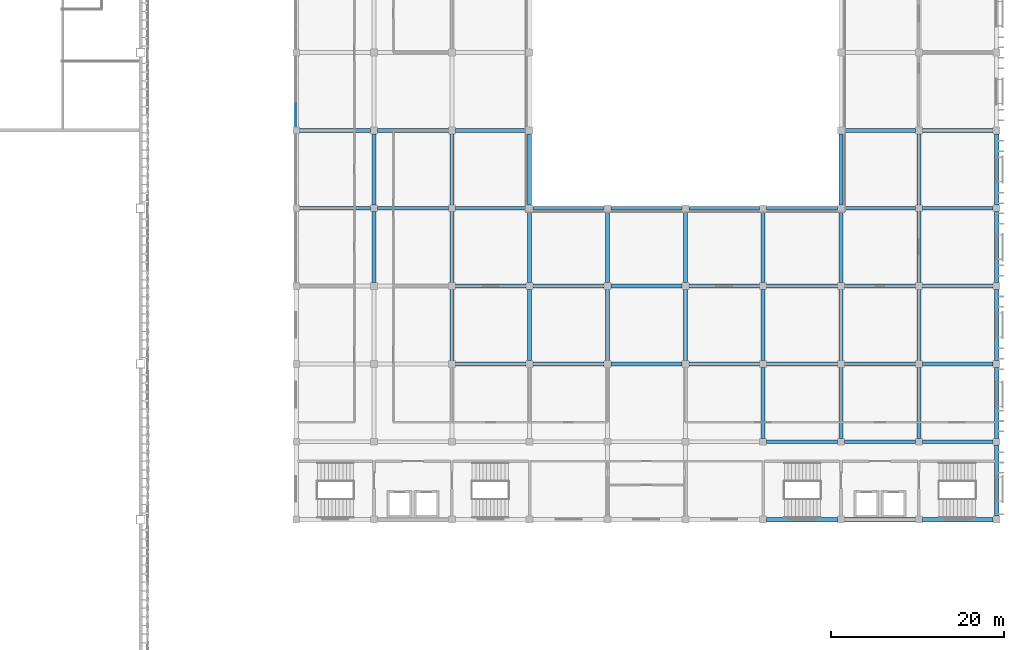
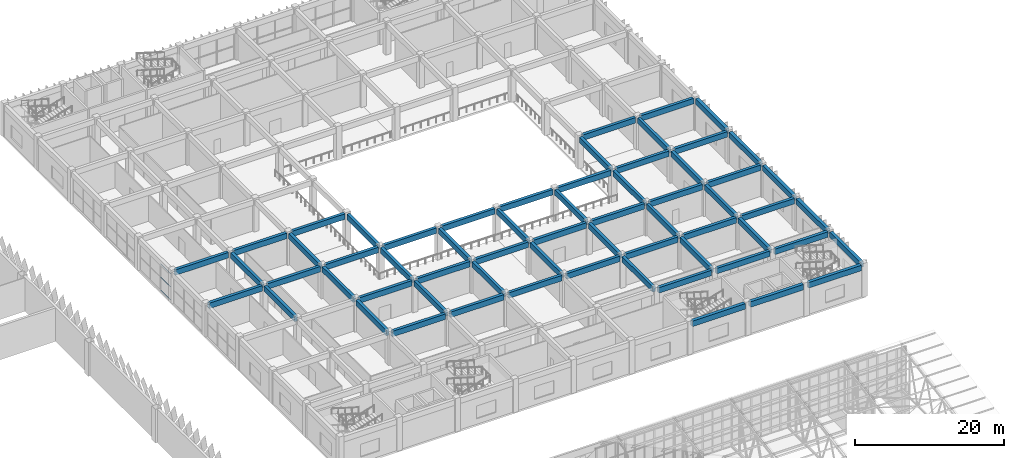
# One storey, part 73 of 185: 62 beams, 3 members, 1 element without a shape of its own.
"""IFC4 building model written with IfcOpenShell, lengths in metres."""

from ifc_helpers import new_model, si_unit, direction, frame, origin, origin_2d, place, context, subcontext, project, spatial, rectangle, hollow_rectangle, extrude, material, layer, layer_set, material_profile, profile_set, type_object, element, aggregate, save


model = new_model("IFC4")

# Units and contexts
model_context = context("Model", 3, precision=1e-05, world=origin(), true_north=direction((0.0, 1.0)))
body_context = subcontext(model_context, "Body", "Model", "MODEL_VIEW")
ifc_project = project(units=[si_unit("LENGTHUNIT", "METRE"), si_unit("AREAUNIT", "SQUARE_METRE"), si_unit("VOLUMEUNIT", "CUBIC_METRE"), si_unit("PLANEANGLEUNIT", "RADIAN"), si_unit("MASSUNIT", "GRAM", prefix="KILO")], contexts=[model_context])

# Site, building, storey
site_placement = place(None, origin())
site = spatial("IfcSite", under=ifc_project, at=site_placement, CompositionType="ELEMENT")
building_placement = place(site_placement, origin())
building = spatial("IfcBuilding", under=site, at=building_placement, Name="Opaline Strait Convention Centre", CompositionType="ELEMENT")
storey_placement = place(building_placement, frame((0.0, 0.0, 6.0)))
storey = spatial("IfcBuildingStorey", under=building, at=storey_placement, Name="L01", CompositionType="ELEMENT", Elevation=6.0)

# Curtain wall, members
ifc_material_1 = material(Name="Aluminium framed double glazing", Category="aluminium")
ifc_layer = layer(ifc_material_1, 0.199951171875)
ifc_layer_set = layer_set([ifc_layer], Name="Aluminium framed double glazing")
curtain_wall_type = type_object("IfcCurtainWallType", Name="Curtain wall 3000 module unitised", PredefinedType="NOTDEFINED", material=ifc_layer_set)
curtain_wall_placement = place(storey_placement, origin())
curtain_wall = element("IfcCurtainWall", 1, at=curtain_wall_placement, inside=storey, type_object=curtain_wall_type, Name="Curtain wall W L01 32/R", PredefinedType="NOTDEFINED")
ifc_material_2 = material(Name="Aluminium alloy 6063", Category="aluminium")
ifc_material_profile_1 = material_profile(ifc_material_2, hollow_rectangle(XDim=0.06005859375, YDim=0.1201171875, WallThickness=0.0029296875, at=origin_2d()), Name="TRANSOM 60x120x3")
ifc_profile_set_1 = profile_set([ifc_material_profile_1], Name="Aluminium alloy 6063")
member_type = type_object("IfcMemberType", Name="Curtain wall transom 60 x 120", PredefinedType="USERDEFINED", material=ifc_profile_set_1)
member_1_placement = place(storey_placement, frame((279.0, 135.4599609375, 0.030029296875), z_axis=(0.0, 1.0, 0.0), x_axis=(-1.0, 0.0, 0.0)))
member_1 = element("IfcMember", 2, at=member_1_placement, type_object=member_type, Name="MCWR1 transom 1.1", ObjectType="TRANSOM", PredefinedType="USERDEFINED", context=body_context, shape_type="SweptSolid", body=[
    extrude(hollow_rectangle(XDim=0.06005859375, YDim=0.1201171875, WallThickness=0.0029296875, at=origin_2d()), origin(), (0.0, 0.0, 1.0), 2.643310546875),
])
member_2_placement = place(storey_placement, frame((279.0, 135.4599609375, 2.159912109375), z_axis=(0.0, 1.0, 0.0), x_axis=(-1.0, 0.0, 0.0)))
member_2 = element("IfcMember", 3, at=member_2_placement, type_object=member_type, Name="MCWR1 transom 1.2", ObjectType="TRANSOM", PredefinedType="USERDEFINED", context=body_context, shape_type="SweptSolid", body=[
    extrude(hollow_rectangle(XDim=0.06005859375, YDim=0.1201171875, WallThickness=0.0029296875, at=origin_2d()), origin(), (0.0, 0.0, 1.0), 2.643310546875),
])
member_3_placement = place(storey_placement, frame((279.0, 135.4599609375, 4.2900390625), z_axis=(0.0, 1.0, 0.0), x_axis=(-1.0, 0.0, 0.0)))
member_3 = element("IfcMember", 4, at=member_3_placement, type_object=member_type, Name="MCWR1 transom 1.3", ObjectType="TRANSOM", PredefinedType="USERDEFINED", context=body_context, shape_type="SweptSolid", body=[
    extrude(hollow_rectangle(XDim=0.06005859375, YDim=0.1201171875, WallThickness=0.0029296875, at=origin_2d()), origin(), (0.0, 0.0, 1.0), 2.643310546875),
])
aggregate(curtain_wall, [member_1, member_2, member_3])

# Beams
ifc_material_3 = material(Name="Concrete C35", Category="concrete")
ifc_material_profile_2 = material_profile(ifc_material_3, rectangle(XDim=0.449951171875, YDim=0.89990234375, at=origin_2d()), Name="RC 450x900")
ifc_profile_set_2 = profile_set([ifc_material_profile_2], Name="Concrete C35")
beam_type_1 = type_object("IfcBeamType", Name="RC beam 450x900 C35", PredefinedType="BEAM", material=ifc_profile_set_2)
for number, where, z_axis, x_axis, name in (
    (5, (333.39990234375, 99.0, 4.77001953125), (1.0, 0.0, 0.0), (0.0, 1.0, 0.0), "XB1 L01 38/M-39/M"),
    (6, (342.39990234375, 99.0, 4.77001953125), (1.0, 0.0, 0.0), (0.0, 1.0, 0.0), "XB1 L01 39/M-40/M"),
    (7, (351.39990234375, 99.0, 4.77001953125), (1.0, 0.0, 0.0), (0.0, 1.0, 0.0), "XB1 L01 40/M-41/M"),
    (8, (297.39990234375, 108.0, 4.77001953125), (1.0, 0.0, 0.0), (0.0, 1.0, 0.0), "XB1 L01 34/N-35/N"),
    (9, (306.39990234375, 108.0, 4.77001953125), (1.0, 0.0, 0.0), (0.0, 1.0, 0.0), "XB1 L01 35/N-36/N"),
    (10, (315.39990234375, 108.0, 4.77001953125), (1.0, 0.0, 0.0), (0.0, 1.0, 0.0), "XB1 L01 36/N-37/N"),
    (11, (324.39990234375, 108.0, 4.77001953125), (1.0, 0.0, 0.0), (0.0, 1.0, 0.0), "XB1 L01 37/N-38/N"),
    (12, (333.39990234375, 108.0, 4.77001953125), (1.0, 0.0, 0.0), (0.0, 1.0, 0.0), "XB1 L01 38/N-39/N"),
    (13, (342.39990234375, 108.0, 4.77001953125), (1.0, 0.0, 0.0), (0.0, 1.0, 0.0), "XB1 L01 39/N-40/N"),
    (14, (351.39990234375, 108.0, 4.77001953125), (1.0, 0.0, 0.0), (0.0, 1.0, 0.0), "XB1 L01 40/N-41/N"),
    (15, (297.39990234375, 117.0, 4.77001953125), (1.0, 0.0, 0.0), (0.0, 1.0, 0.0), "XB1 L01 34/P-35/P"),
    (16, (306.39990234375, 117.0, 4.77001953125), (1.0, 0.0, 0.0), (0.0, 1.0, 0.0), "XB1 L01 35/P-36/P"),
    (17, (315.39990234375, 117.0, 4.77001953125), (1.0, 0.0, 0.0), (0.0, 1.0, 0.0), "XB1 L01 36/P-37/P"),
    (18, (324.39990234375, 117.0, 4.77001953125), (1.0, 0.0, 0.0), (0.0, 1.0, 0.0), "XB1 L01 37/P-38/P"),
    (19, (333.39990234375, 117.0, 4.77001953125), (1.0, 0.0, 0.0), (0.0, 1.0, 0.0), "XB1 L01 38/P-39/P"),
    (20, (342.39990234375, 117.0, 4.77001953125), (1.0, 0.0, 0.0), (0.0, 1.0, 0.0), "XB1 L01 39/P-40/P"),
    (21, (351.39990234375, 117.0, 4.77001953125), (1.0, 0.0, 0.0), (0.0, 1.0, 0.0), "XB1 L01 40/P-41/P"),
    (22, (279.39990234375, 126.0, 4.77001953125), (1.0, 0.0, 0.0), (0.0, 1.0, 0.0), "XB1 L01 32/Q-33/Q"),
    (23, (288.39990234375, 126.0, 4.77001953125), (1.0, 0.0, 0.0), (0.0, 1.0, 0.0), "XB1 L01 33/Q-34/Q"),
    (24, (297.39990234375, 126.0, 4.77001953125), (1.0, 0.0, 0.0), (0.0, 1.0, 0.0), "XB1 L01 34/Q-35/Q"),
    (25, (306.39990234375, 126.0, 4.77001953125), (1.0, 0.0, 0.0), (0.0, 1.0, 0.0), "XB1 L01 35/Q-36/Q"),
    (26, (315.39990234375, 126.0, 4.77001953125), (1.0, 0.0, 0.0), (0.0, 1.0, 0.0), "XB1 L01 36/Q-37/Q"),
    (27, (324.39990234375, 126.0, 4.77001953125), (1.0, 0.0, 0.0), (0.0, 1.0, 0.0), "XB1 L01 37/Q-38/Q"),
    (28, (333.39990234375, 126.0, 4.77001953125), (1.0, 0.0, 0.0), (0.0, 1.0, 0.0), "XB1 L01 38/Q-39/Q"),
    (29, (342.39990234375, 126.0, 4.77001953125), (1.0, 0.0, 0.0), (0.0, 1.0, 0.0), "XB1 L01 39/Q-40/Q"),
    (30, (351.39990234375, 126.0, 4.77001953125), (1.0, 0.0, 0.0), (0.0, 1.0, 0.0), "XB1 L01 40/Q-41/Q"),
    (31, (279.39990234375, 135.0, 4.77001953125), (1.0, 0.0, 0.0), (0.0, 1.0, 0.0), "XB1 L01 32/R-33/R"),
    (32, (288.39990234375, 135.0, 4.77001953125), (1.0, 0.0, 0.0), (0.0, 1.0, 0.0), "XB1 L01 33/R-34/R"),
    (33, (297.39990234375, 135.0, 4.77001953125), (1.0, 0.0, 0.0), (0.0, 1.0, 0.0), "XB1 L01 34/R-35/R"),
    (34, (342.39990234375, 135.0, 4.77001953125), (1.0, 0.0, 0.0), (0.0, 1.0, 0.0), "XB1 L01 39/R-40/R"),
    (35, (351.39990234375, 135.0, 4.77001953125), (1.0, 0.0, 0.0), (0.0, 1.0, 0.0), "XB1 L01 40/R-41/R"),
    (36, (288.0, 117.39990234375, 4.77001953125), (0.0, 1.0, 0.0), (-1.0, 0.0, 0.0), "XB1 L01 33/P-33/Q"),
    (37, (288.0, 126.39990234375, 4.77001953125), (0.0, 1.0, 0.0), (-1.0, 0.0, 0.0), "XB1 L01 33/Q-33/R"),
    (38, (297.0, 108.39990234375, 4.77001953125), (0.0, 1.0, 0.0), (-1.0, 0.0, 0.0), "XB1 L01 34/N-34/P"),
    (39, (297.0, 117.39990234375, 4.77001953125), (0.0, 1.0, 0.0), (-1.0, 0.0, 0.0), "XB1 L01 34/P-34/Q"),
    (40, (297.0, 126.39990234375, 4.77001953125), (0.0, 1.0, 0.0), (-1.0, 0.0, 0.0), "XB1 L01 34/Q-34/R"),
    (41, (306.0, 108.39990234375, 4.77001953125), (0.0, 1.0, 0.0), (-1.0, 0.0, 0.0), "XB1 L01 35/N-35/P"),
    (42, (306.0, 117.39990234375, 4.77001953125), (0.0, 1.0, 0.0), (-1.0, 0.0, 0.0), "XB1 L01 35/P-35/Q"),
    (43, (306.0, 126.39990234375, 4.77001953125), (0.0, 1.0, 0.0), (-1.0, 0.0, 0.0), "XB1 L01 35/Q-35/R"),
    (44, (315.0, 108.39990234375, 4.77001953125), (0.0, 1.0, 0.0), (-1.0, 0.0, 0.0), "XB1 L01 36/N-36/P"),
    (45, (315.0, 117.39990234375, 4.77001953125), (0.0, 1.0, 0.0), (-1.0, 0.0, 0.0), "XB1 L01 36/P-36/Q"),
    (46, (324.0, 108.39990234375, 4.77001953125), (0.0, 1.0, 0.0), (-1.0, 0.0, 0.0), "XB1 L01 37/N-37/P"),
    (47, (324.0, 117.39990234375, 4.77001953125), (0.0, 1.0, 0.0), (-1.0, 0.0, 0.0), "XB1 L01 37/P-37/Q"),
    (48, (333.0, 99.39990234375, 4.77001953125), (0.0, 1.0, 0.0), (-1.0, 0.0, 0.0), "XB1 L01 38/M-38/N"),
    (49, (333.0, 108.39990234375, 4.77001953125), (0.0, 1.0, 0.0), (-1.0, 0.0, 0.0), "XB1 L01 38/N-38/P"),
    (50, (333.0, 117.39990234375, 4.77001953125), (0.0, 1.0, 0.0), (-1.0, 0.0, 0.0), "XB1 L01 38/P-38/Q"),
    (51, (342.0, 99.39990234375, 4.77001953125), (0.0, 1.0, 0.0), (-1.0, 0.0, 0.0), "XB1 L01 39/M-39/N"),
    (52, (342.0, 108.39990234375, 4.77001953125), (0.0, 1.0, 0.0), (-1.0, 0.0, 0.0), "XB1 L01 39/N-39/P"),
    (53, (342.0, 117.39990234375, 4.77001953125), (0.0, 1.0, 0.0), (-1.0, 0.0, 0.0), "XB1 L01 39/P-39/Q"),
    (54, (342.0, 126.39990234375, 4.77001953125), (0.0, 1.0, 0.0), (-1.0, 0.0, 0.0), "XB1 L01 39/Q-39/R"),
    (55, (351.0, 99.39990234375, 4.77001953125), (0.0, 1.0, 0.0), (-1.0, 0.0, 0.0), "XB1 L01 40/M-40/N"),
    (56, (351.0, 108.39990234375, 4.77001953125), (0.0, 1.0, 0.0), (-1.0, 0.0, 0.0), "XB1 L01 40/N-40/P"),
    (57, (351.0, 117.39990234375, 4.77001953125), (0.0, 1.0, 0.0), (-1.0, 0.0, 0.0), "XB1 L01 40/P-40/Q"),
    (58, (351.0, 126.39990234375, 4.77001953125), (0.0, 1.0, 0.0), (-1.0, 0.0, 0.0), "XB1 L01 40/Q-40/R"),
):
    element("IfcBeam", number, at=place(storey_placement, frame(where, z_axis=z_axis, x_axis=x_axis)), inside=storey, type_object=beam_type_1, Name=name, PredefinedType="BEAM", context=body_context, shape_type="SweptSolid", body=[
        extrude(rectangle(XDim=0.449951171875, YDim=0.89990234375, at=origin_2d()), origin(), (0.0, 0.0, 1.0), 8.2001953125),
    ])
ifc_material_profile_3 = material_profile(ifc_material_3, rectangle(XDim=0.5, YDim=0.89990234375, at=origin_2d()), Name="RC 500x900")
ifc_profile_set_3 = profile_set([ifc_material_profile_3], Name="Concrete C35")
beam_type_2 = type_object("IfcBeamType", Name="RC edge beam 500x900 C35", PredefinedType="BEAM", material=ifc_profile_set_3)
for number, where, z_axis, x_axis, name in (
    (59, (333.39990234375, 90.0, 4.77001953125), (1.0, 0.0, 0.0), (0.0, 1.0, 0.0), "MRB2 L01 38/L-39/L"),
    (60, (342.39990234375, 90.0, 4.77001953125), (1.0, 0.0, 0.0), (0.0, 1.0, 0.0), "MRB2 L01 39/L-40/L"),
    (61, (351.39990234375, 90.0, 4.77001953125), (1.0, 0.0, 0.0), (0.0, 1.0, 0.0), "MRB2 L01 40/L-41/L"),
    (62, (360.0, 90.39990234375, 4.77001953125), (0.0, 1.0, 0.0), (-1.0, 0.0, 0.0), "MRB2 L01 41/L-41/M"),
    (63, (360.0, 99.39990234375, 4.77001953125), (0.0, 1.0, 0.0), (-1.0, 0.0, 0.0), "MRB2 L01 41/M-41/N"),
    (64, (360.0, 108.39990234375, 4.77001953125), (0.0, 1.0, 0.0), (-1.0, 0.0, 0.0), "MRB2 L01 41/N-41/P"),
    (65, (360.0, 117.39990234375, 4.77001953125), (0.0, 1.0, 0.0), (-1.0, 0.0, 0.0), "MRB2 L01 41/P-41/Q"),
    (66, (360.0, 126.39990234375, 4.77001953125), (0.0, 1.0, 0.0), (-1.0, 0.0, 0.0), "MRB2 L01 41/Q-41/R"),
):
    element("IfcBeam", number, at=place(storey_placement, frame(where, z_axis=z_axis, x_axis=x_axis)), inside=storey, type_object=beam_type_2, Name=name, PredefinedType="BEAM", context=body_context, shape_type="SweptSolid", body=[
        extrude(rectangle(XDim=0.5, YDim=0.89990234375, at=origin_2d()), origin(), (0.0, 0.0, 1.0), 8.2001953125),
    ])

save(model, "model.ifc")
